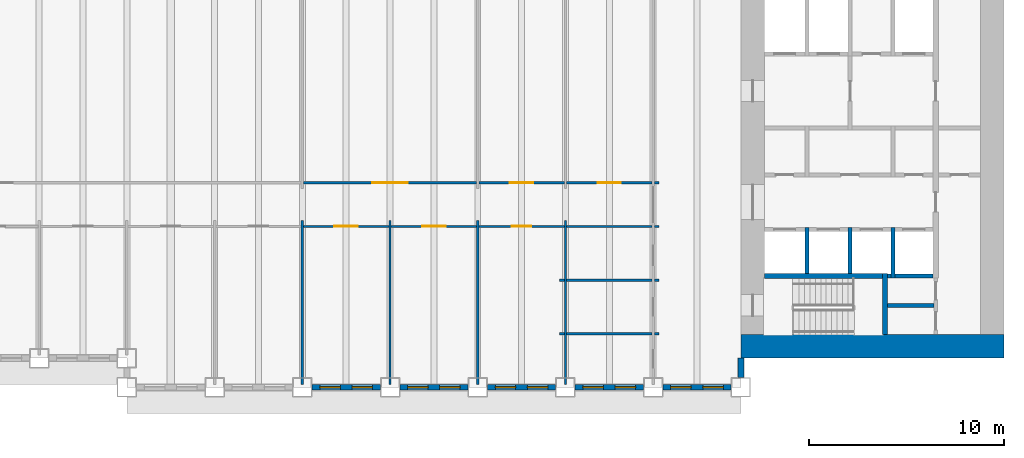
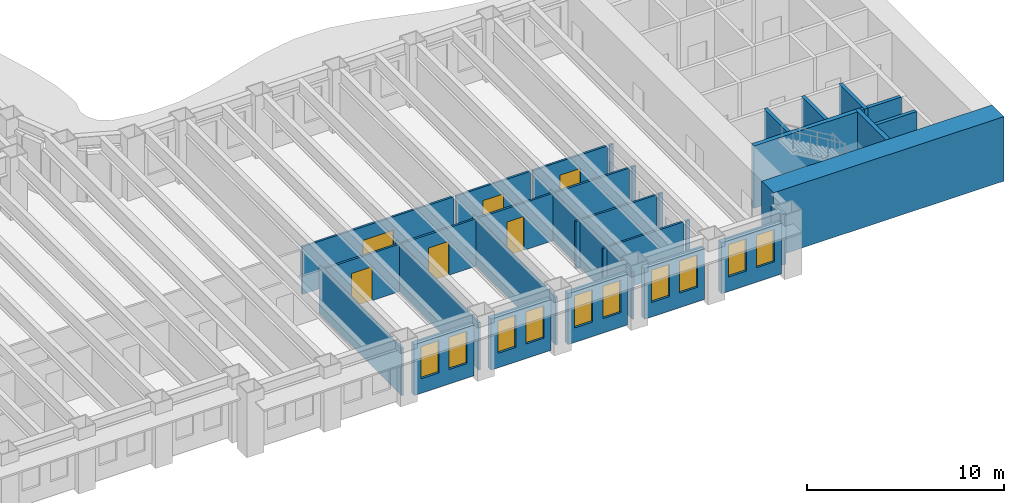
# One storey, part 5 of 16: 34 walls, 10 windows, 6 doors, 16 openings.
"""IFC4 building model written with IfcOpenShell, lengths in metres."""

from ifc_helpers import new_model, si_unit, direction, frame, frame_2d, origin, place, context, subcontext, project, spatial, rectangle, extrude, material, layer, layer_set, type_object, element, fill, save


model = new_model("IFC4")

# Units and contexts
model_context = context("Model", 3, precision=1e-05, world=origin(), true_north=direction((0.0, 1.0)))
body_context = subcontext(model_context, "Body", "Model", "MODEL_VIEW")
ifc_project = project(units=[si_unit("LENGTHUNIT", "METRE"), si_unit("AREAUNIT", "SQUARE_METRE"), si_unit("VOLUMEUNIT", "CUBIC_METRE"), si_unit("PLANEANGLEUNIT", "RADIAN"), si_unit("MASSUNIT", "GRAM", prefix="KILO")], contexts=[model_context])

# Site, building, storey
site_placement = place(None, origin())
site = spatial("IfcSite", under=ifc_project, at=site_placement, CompositionType="ELEMENT")
building_placement = place(site_placement, origin())
building = spatial("IfcBuilding", under=site, at=building_placement, Name="Sennacour Bend Tower", CompositionType="ELEMENT")
storey_placement = place(building_placement, frame((0.0, 0.0, 103.0)))
storey = spatial("IfcBuildingStorey", under=building, at=storey_placement, Name="L23", CompositionType="ELEMENT", Elevation=103.0)

# Walls
ifc_material_1 = material(Name="Concrete C80/95", Category="concrete")
ifc_layer_1 = layer(ifc_material_1, 1.199951171875, Name="Concrete C80/95", Category="concrete")
ifc_layer_set_1 = layer_set([ifc_layer_1], Name="Concrete C80/95")
wall_type_1 = type_object("IfcWallType", Name="Core wall 1200 C80/95", PredefinedType="SHEAR", material=ifc_layer_set_1)
wall_1_placement = place(storey_placement, frame((67.5, 0.60009765625, -0.14990234375), z_axis=(0.0, 0.0, 1.0), x_axis=(-1.0, 0.0, 0.0)))
element("IfcWall", 1, at=wall_1_placement, inside=storey, type_object=wall_type_1, Name="Core A wall L23 S", PredefinedType="SHEAR", context=body_context, shape_type="SweptSolid", body=[
    extrude(rectangle(XDim=13.5, YDim=1.199951171875, at=frame_2d((6.75, 0.0))), origin(), (0.0, 0.0, 1.0), 4.0),
])
ifc_material_2 = material(Name="Plasterboard partition on steel studs", Category="steel")
ifc_layer_2 = layer(ifc_material_2, 0.1201171875, Name="Plasterboard partition on steel studs", Category="steel")
ifc_layer_set_2 = layer_set([ifc_layer_2], Name="Plasterboard partition on steel studs")
wall_type_2 = type_object("IfcWallType", Name="Partition 120", PredefinedType="PARTITIONING", material=ifc_layer_set_2)
for number, where, z_axis, x_axis, name in (
    (2, (31.5, -1.35009765625, 0.0), (0.0, 0.0, 1.0), (0.0, 1.0, 0.0), "P-L23-W026a"),
    (3, (36.0, -1.35009765625, 0.0), (0.0, 0.0, 1.0), (0.0, 1.0, 0.0), "P-L23-W028a"),
    (4, (40.5, -1.35009765625, 0.0), (0.0, 0.0, 1.0), (0.0, 1.0, 0.0), "P-L23-W029a"),
    (5, (45.0, -1.35009765625, 0.0), (0.0, 0.0, 1.0), (0.0, 1.0, 0.0), "P-L23-W031a"),
):
    element("IfcWall", number, at=place(storey_placement, frame(where, z_axis=z_axis, x_axis=x_axis)), inside=storey, type_object=wall_type_2, Name=name, PredefinedType="PARTITIONING", context=body_context, shape_type="SweptSolid", body=[
        extrude(rectangle(XDim=8.400146484375, YDim=0.1201171875, at=frame_2d((4.2001953125, 0.0))), origin(), (0.0, 0.0, 1.0), 2.93798828125),
    ])
wall_2_placement = place(storey_placement, frame((44.699951171875, 1.25, 0.0), z_axis=(0.0, 0.0, 1.0), x_axis=(1.0, 0.0, 0.0)))
element("IfcWall", 6, at=wall_2_placement, inside=storey, type_object=wall_type_2, Name="P-L23-W051aa", PredefinedType="PARTITIONING", context=body_context, shape_type="SweptSolid", body=[
    extrude(rectangle(XDim=0.239990234375, YDim=0.1201171875, at=frame_2d((0.1201171875, 0.0))), origin(), (0.0, 0.0, 1.0), 2.93798828125),
])
wall_3_placement = place(storey_placement, frame((45.06005859375, 1.25, 0.0), z_axis=(0.0, 0.0, 1.0), x_axis=(1.0, 0.0, 0.0)))
element("IfcWall", 7, at=wall_3_placement, inside=storey, type_object=wall_type_2, Name="P-L23-W051ab", PredefinedType="PARTITIONING", context=body_context, shape_type="SweptSolid", body=[
    extrude(rectangle(XDim=4.3798828125, YDim=0.1201171875, at=frame_2d((2.18994140625, 0.0))), origin(), (0.0, 0.0, 1.0), 2.93798828125),
])
for number, where, z_axis, x_axis, name in (
    (8, (49.56005859375, 1.25, 0.0), (0.0, 0.0, 1.0), (1.0, 0.0, 0.0), "P-L23-W051ac"),
    (9, (44.699951171875, 4.0, 0.0), (0.0, 0.0, 1.0), (1.0, 0.0, 0.0), "P-L23-W056aa"),
):
    element("IfcWall", number, at=place(storey_placement, frame(where, z_axis=z_axis, x_axis=x_axis)), inside=storey, type_object=wall_type_2, Name=name, PredefinedType="PARTITIONING", context=body_context, shape_type="SweptSolid", body=[
        extrude(rectangle(XDim=0.239990234375, YDim=0.1201171875, at=frame_2d((0.1201171875, 0.0))), origin(), (0.0, 0.0, 1.0), 2.93798828125),
    ])
wall_4_placement = place(storey_placement, frame((45.06005859375, 4.0, 0.0), z_axis=(0.0, 0.0, 1.0), x_axis=(1.0, 0.0, 0.0)))
element("IfcWall", 10, at=wall_4_placement, inside=storey, type_object=wall_type_2, Name="P-L23-W056ab", PredefinedType="PARTITIONING", context=body_context, shape_type="SweptSolid", body=[
    extrude(rectangle(XDim=4.3798828125, YDim=0.1201171875, at=frame_2d((2.18994140625, 0.0))), origin(), (0.0, 0.0, 1.0), 2.93798828125),
])
wall_5_placement = place(storey_placement, frame((49.56005859375, 4.0, 0.0), z_axis=(0.0, 0.0, 1.0), x_axis=(1.0, 0.0, 0.0)))
element("IfcWall", 11, at=wall_5_placement, inside=storey, type_object=wall_type_2, Name="P-L23-W056ac", PredefinedType="PARTITIONING", context=body_context, shape_type="SweptSolid", body=[
    extrude(rectangle(XDim=0.239990234375, YDim=0.1201171875, at=frame_2d((0.1201171875, 0.0))), origin(), (0.0, 0.0, 1.0), 2.93798828125),
])

# Wall, opening, door
wall_6_placement = place(storey_placement, frame((31.56005859375, 6.75, 0.0), z_axis=(0.0, 0.0, 1.0), x_axis=(1.0, 0.0, 0.0)))
wall_6 = element("IfcWall", 12, at=wall_6_placement, inside=storey, type_object=wall_type_2, Name="P-L23-W060af", PredefinedType="PARTITIONING", context=body_context, shape_type="SweptSolid", body=[
    extrude(rectangle(XDim=4.3798828125, YDim=0.1201171875, at=frame_2d((2.18994140625, 0.0))), origin(), (0.0, 0.0, 1.0), 2.93798828125),
])
opening_1_placement = place(wall_6_placement, frame((1.58984375, 0.0, 0.0)))
opening_1 = element("IfcOpeningElement", 13, at=opening_1_placement, cuts=wall_6, Name="Opening OD", PredefinedType="OPENING", context=body_context, shape_type="SweptSolid", body=[
    extrude(rectangle(XDim=1.199951171875, YDim=2.10009765625, at=frame_2d((0.60009765625, 1.050048828125))), frame((0.0, 0.070068359375, 0.0), z_axis=(0.0, -1.0, 0.0), x_axis=(1.0, 0.0, 0.0)), (0.0, 0.0, 1.0), 0.14013671875),
])
ifc_material_3 = material(Name="Timber", Category="wood")
door_type_1 = type_object("IfcDoorType", Name="DR-OFFICE-1200", OperationType="NOTDEFINED", PredefinedType="DOOR", material=ifc_material_3)
door_1_placement = place(opening_1_placement, origin())
door_1 = element("IfcDoor", 14, at=door_1_placement, inside=storey, type_object=door_type_1, Name="Door", OperationType="SINGLE_SWING_LEFT", OverallHeight=2.10009765625, OverallWidth=1.199951171875, PredefinedType="DOOR", context=body_context, shape_type="SweptSolid", body=[
    extrude(rectangle(XDim=1.199951171875, YDim=2.10009765625, at=frame_2d((0.60009765625, 1.050048828125))), frame((0.0, 0.02490234375, 0.0), z_axis=(0.0, -1.0, 0.0), x_axis=(1.0, 0.0, 0.0)), (0.0, 0.0, 1.0), 0.050048828125),
])
fill(opening_1, door_1)

wall_7_placement = place(storey_placement, frame((36.06005859375, 6.75, 0.0), z_axis=(0.0, 0.0, 1.0), x_axis=(1.0, 0.0, 0.0)))
wall_7 = element("IfcWall", 15, at=wall_7_placement, inside=storey, type_object=wall_type_2, Name="P-L23-W060ag", PredefinedType="PARTITIONING", context=body_context, shape_type="SweptSolid", body=[
    extrude(rectangle(XDim=4.3798828125, YDim=0.1201171875, at=frame_2d((2.18994140625, 0.0))), origin(), (0.0, 0.0, 1.0), 2.93798828125),
])
opening_2_placement = place(wall_7_placement, frame((1.58984375, 0.0, 0.0)))
opening_2 = element("IfcOpeningElement", 16, at=opening_2_placement, cuts=wall_7, Name="Opening OD", PredefinedType="OPENING", context=body_context, shape_type="SweptSolid", body=[
    extrude(rectangle(XDim=1.199951171875, YDim=2.10009765625, at=frame_2d((0.60009765625, 1.050048828125))), frame((0.0, 0.070068359375, 0.0), z_axis=(0.0, -1.0, 0.0), x_axis=(1.0, 0.0, 0.0)), (0.0, 0.0, 1.0), 0.14013671875),
])
door_2_placement = place(opening_2_placement, origin())
door_2 = element("IfcDoor", 17, at=door_2_placement, inside=storey, type_object=door_type_1, Name="Door", OperationType="SINGLE_SWING_LEFT", OverallHeight=2.10009765625, OverallWidth=1.199951171875, PredefinedType="DOOR", context=body_context, shape_type="SweptSolid", body=[
    extrude(rectangle(XDim=1.199951171875, YDim=2.10009765625, at=frame_2d((0.60009765625, 1.050048828125))), frame((0.0, 0.02490234375, 0.0), z_axis=(0.0, -1.0, 0.0), x_axis=(1.0, 0.0, 0.0)), (0.0, 0.0, 1.0), 0.050048828125),
])
fill(opening_2, door_2)

wall_8_placement = place(storey_placement, frame((40.56005859375, 6.75, 0.0), z_axis=(0.0, 0.0, 1.0), x_axis=(1.0, 0.0, 0.0)))
wall_8 = element("IfcWall", 18, at=wall_8_placement, inside=storey, type_object=wall_type_2, Name="P-L23-W060ah", PredefinedType="PARTITIONING", context=body_context, shape_type="SweptSolid", body=[
    extrude(rectangle(XDim=4.3798828125, YDim=0.1201171875, at=frame_2d((2.18994140625, 0.0))), origin(), (0.0, 0.0, 1.0), 2.93798828125),
])
opening_3_placement = place(wall_8_placement, frame((1.68994140625, 0.0, 0.0)))
opening_3 = element("IfcOpeningElement", 19, at=opening_3_placement, cuts=wall_8, Name="Opening OD2", PredefinedType="OPENING", context=body_context, shape_type="SweptSolid", body=[
    extrude(rectangle(XDim=1.0, YDim=2.10009765625, at=frame_2d((0.5, 1.050048828125))), frame((0.0, 0.070068359375, 0.0), z_axis=(0.0, -1.0, 0.0), x_axis=(1.0, 0.0, 0.0)), (0.0, 0.0, 1.0), 0.14013671875),
])
door_type_2 = type_object("IfcDoorType", Name="DR-OFFICE-1000", OperationType="NOTDEFINED", PredefinedType="DOOR", material=ifc_material_3)
door_3_placement = place(opening_3_placement, origin())
door_3 = element("IfcDoor", 20, at=door_3_placement, inside=storey, type_object=door_type_2, Name="Door", OperationType="SINGLE_SWING_LEFT", OverallHeight=2.10009765625, OverallWidth=1.0, PredefinedType="DOOR", context=body_context, shape_type="SweptSolid", body=[
    extrude(rectangle(XDim=1.0, YDim=2.10009765625, at=frame_2d((0.5, 1.050048828125))), frame((0.0, 0.02490234375, 0.0), z_axis=(0.0, -1.0, 0.0), x_axis=(1.0, 0.0, 0.0)), (0.0, 0.0, 1.0), 0.050048828125),
])
fill(opening_3, door_3)

# Walls
wall_9_placement = place(storey_placement, frame((45.06005859375, 6.75, 0.0), z_axis=(0.0, 0.0, 1.0), x_axis=(1.0, 0.0, 0.0)))
element("IfcWall", 21, at=wall_9_placement, inside=storey, type_object=wall_type_2, Name="P-L23-W060ai", PredefinedType="PARTITIONING", context=body_context, shape_type="SweptSolid", body=[
    extrude(rectangle(XDim=4.3798828125, YDim=0.1201171875, at=frame_2d((2.18994140625, 0.0))), origin(), (0.0, 0.0, 1.0), 2.93798828125),
])
wall_10_placement = place(storey_placement, frame((49.56005859375, 6.75, 0.0), z_axis=(0.0, 0.0, 1.0), x_axis=(1.0, 0.0, 0.0)))
element("IfcWall", 22, at=wall_10_placement, inside=storey, type_object=wall_type_2, Name="P-L23-W060aj", PredefinedType="PARTITIONING", context=body_context, shape_type="SweptSolid", body=[
    extrude(rectangle(XDim=0.239990234375, YDim=0.1201171875, at=frame_2d((0.1201171875, 0.0))), origin(), (0.0, 0.0, 1.0), 2.93798828125),
])

# Wall, opening, door
wall_11_placement = place(storey_placement, frame((31.56005859375, 9.0, 0.0), z_axis=(0.0, 0.0, 1.0), x_axis=(1.0, 0.0, 0.0)))
wall_11 = element("IfcWall", 23, at=wall_11_placement, inside=storey, type_object=wall_type_2, Name="P-L23-W061ad", PredefinedType="PARTITIONING", context=body_context, shape_type="SweptSolid", body=[
    extrude(rectangle(XDim=8.8798828125, YDim=0.1201171875, at=frame_2d((4.43994140625, 0.0))), origin(), (0.0, 0.0, 1.0), 2.93798828125),
])
opening_4_placement = place(wall_11_placement, frame((3.539794921875, 0.0, 0.0)))
opening_4 = element("IfcOpeningElement", 24, at=opening_4_placement, cuts=wall_11, Name="Opening OD3", PredefinedType="OPENING", context=body_context, shape_type="SweptSolid", body=[
    extrude(rectangle(XDim=1.800048828125, YDim=2.10009765625, at=frame_2d((0.89990234375, 1.050048828125))), frame((0.0, 0.070068359375, 0.0), z_axis=(0.0, -1.0, 0.0), x_axis=(1.0, 0.0, 0.0)), (0.0, 0.0, 1.0), 0.14013671875),
])
door_type_3 = type_object("IfcDoorType", Name="DR-OFFICE-1800", OperationType="NOTDEFINED", PredefinedType="DOOR", material=ifc_material_3)
door_4_placement = place(opening_4_placement, origin())
door_4 = element("IfcDoor", 25, at=door_4_placement, inside=storey, type_object=door_type_3, Name="Door", OperationType="DOUBLE_DOOR_SINGLE_SWING", OverallHeight=2.10009765625, OverallWidth=1.800048828125, PredefinedType="DOOR", context=body_context, shape_type="SweptSolid", body=[
    extrude(rectangle(XDim=1.800048828125, YDim=2.10009765625, at=frame_2d((0.89990234375, 1.050048828125))), frame((0.0, 0.02490234375, 0.0), z_axis=(0.0, -1.0, 0.0), x_axis=(1.0, 0.0, 0.0)), (0.0, 0.0, 1.0), 0.050048828125),
])
fill(opening_4, door_4)

wall_12_placement = place(storey_placement, frame((40.56005859375, 9.0, 0.0), z_axis=(0.0, 0.0, 1.0), x_axis=(1.0, 0.0, 0.0)))
wall_12 = element("IfcWall", 26, at=wall_12_placement, inside=storey, type_object=wall_type_2, Name="P-L23-W061ae", PredefinedType="PARTITIONING", context=body_context, shape_type="SweptSolid", body=[
    extrude(rectangle(XDim=4.3798828125, YDim=0.1201171875, at=frame_2d((2.18994140625, 0.0))), origin(), (0.0, 0.0, 1.0), 2.93798828125),
])
opening_5_placement = place(wall_12_placement, frame((1.58984375, 0.0, 0.0)))
opening_5 = element("IfcOpeningElement", 27, at=opening_5_placement, cuts=wall_12, Name="Opening OD", PredefinedType="OPENING", context=body_context, shape_type="SweptSolid", body=[
    extrude(rectangle(XDim=1.199951171875, YDim=2.10009765625, at=frame_2d((0.60009765625, 1.050048828125))), frame((0.0, 0.070068359375, 0.0), z_axis=(0.0, -1.0, 0.0), x_axis=(1.0, 0.0, 0.0)), (0.0, 0.0, 1.0), 0.14013671875),
])
door_5_placement = place(opening_5_placement, origin())
door_5 = element("IfcDoor", 28, at=door_5_placement, inside=storey, type_object=door_type_1, Name="Door", OperationType="SINGLE_SWING_LEFT", OverallHeight=2.10009765625, OverallWidth=1.199951171875, PredefinedType="DOOR", context=body_context, shape_type="SweptSolid", body=[
    extrude(rectangle(XDim=1.199951171875, YDim=2.10009765625, at=frame_2d((0.60009765625, 1.050048828125))), frame((0.0, 0.02490234375, 0.0), z_axis=(0.0, -1.0, 0.0), x_axis=(1.0, 0.0, 0.0)), (0.0, 0.0, 1.0), 0.050048828125),
])
fill(opening_5, door_5)

wall_13_placement = place(storey_placement, frame((45.06005859375, 9.0, 0.0), z_axis=(0.0, 0.0, 1.0), x_axis=(1.0, 0.0, 0.0)))
wall_13 = element("IfcWall", 29, at=wall_13_placement, inside=storey, type_object=wall_type_2, Name="P-L23-W061af", PredefinedType="PARTITIONING", context=body_context, shape_type="SweptSolid", body=[
    extrude(rectangle(XDim=4.3798828125, YDim=0.1201171875, at=frame_2d((2.18994140625, 0.0))), origin(), (0.0, 0.0, 1.0), 2.93798828125),
])
opening_6_placement = place(wall_13_placement, frame((1.58984375, 0.0, 0.0)))
opening_6 = element("IfcOpeningElement", 30, at=opening_6_placement, cuts=wall_13, Name="Opening OD", PredefinedType="OPENING", context=body_context, shape_type="SweptSolid", body=[
    extrude(rectangle(XDim=1.199951171875, YDim=2.10009765625, at=frame_2d((0.60009765625, 1.050048828125))), frame((0.0, 0.070068359375, 0.0), z_axis=(0.0, -1.0, 0.0), x_axis=(1.0, 0.0, 0.0)), (0.0, 0.0, 1.0), 0.14013671875),
])
door_6_placement = place(opening_6_placement, origin())
door_6 = element("IfcDoor", 31, at=door_6_placement, inside=storey, type_object=door_type_1, Name="Door", OperationType="SINGLE_SWING_LEFT", OverallHeight=2.10009765625, OverallWidth=1.199951171875, PredefinedType="DOOR", context=body_context, shape_type="SweptSolid", body=[
    extrude(rectangle(XDim=1.199951171875, YDim=2.10009765625, at=frame_2d((0.60009765625, 1.050048828125))), frame((0.0, 0.02490234375, 0.0), z_axis=(0.0, -1.0, 0.0), x_axis=(1.0, 0.0, 0.0)), (0.0, 0.0, 1.0), 0.050048828125),
])
fill(opening_6, door_6)

# Walls
wall_14_placement = place(storey_placement, frame((49.56005859375, 9.0, 0.0), z_axis=(0.0, 0.0, 1.0), x_axis=(1.0, 0.0, 0.0)))
element("IfcWall", 32, at=wall_14_placement, inside=storey, type_object=wall_type_2, Name="P-L23-W061ag", PredefinedType="PARTITIONING", context=body_context, shape_type="SweptSolid", body=[
    extrude(rectangle(XDim=0.239990234375, YDim=0.1201171875, at=frame_2d((0.1201171875, 0.0))), origin(), (0.0, 0.0, 1.0), 2.93798828125),
])
ifc_material_4 = material(Name="Fire-rated plasterboard partition on steel studs", Category="steel")
ifc_layer_3 = layer(ifc_material_4, 0.199951171875, Name="Fire-rated plasterboard partition on steel studs", Category="steel")
ifc_layer_set_3 = layer_set([ifc_layer_3], Name="Fire-rated plasterboard partition on steel studs")
wall_type_3 = type_object("IfcWallType", Name="Rated partition 200", PredefinedType="PARTITIONING", material=ifc_layer_set_3)
wall_15_placement = place(storey_placement, frame((61.52490234375, 2.699951171875, 0.0), z_axis=(0.0, 0.0, 1.0), x_axis=(1.0, 0.0, 0.0)))
element("IfcWall", 33, at=wall_15_placement, inside=storey, type_object=wall_type_3, Name="P-L23-W052", PredefinedType="PARTITIONING", context=body_context, shape_type="SweptSolid", body=[
    extrude(rectangle(XDim=2.375, YDim=0.199951171875, at=frame_2d((1.1875, 0.0))), origin(), (0.0, 0.0, 1.0), 3.85009765625),
])

# Wall, openings, windows
ifc_material_5 = material(Name="Warm limestone cladding", Category="masonry")
ifc_layer_4 = layer(ifc_material_5, 0.050048828125, Name="Warm limestone cladding", Category="masonry")
ifc_material_6 = material(Name="Precast concrete C40/50", Category="concrete")
ifc_layer_5 = layer(ifc_material_6, 0.25, Name="Precast concrete C40/50", Category="concrete")
ifc_layer_set_4 = layer_set([ifc_layer_4, ifc_layer_5], Name="Precast concrete C40/50 with limestone cladding")
wall_type_4 = type_object("IfcWallType", Name="STONE-CLAD PRECAST SPANDREL 300", PredefinedType="STANDARD", material=ifc_layer_set_4)
wall_16_placement = place(storey_placement, frame((32.0, -1.5, 0.0), z_axis=(0.0, 0.0, 1.0), x_axis=(1.0, 0.0, 0.0)))
wall_16 = element("IfcWall", 34, at=wall_16_placement, inside=storey, type_object=wall_type_4, Name="Stone spandrel and pier wall L23 00.02", PredefinedType="STANDARD", context=body_context, shape_type="SweptSolid", body=[
    extrude(rectangle(XDim=3.5, YDim=0.300048828125, at=frame_2d((1.75, 0.0))), origin(), (0.0, 0.0, 1.0), 3.154052734375),
])
opening_7_placement = place(wall_16_placement, frame((0.39990234375, 0.0, 0.89990234375)))
opening_7 = element("IfcOpeningElement", 35, at=opening_7_placement, cuts=wall_16, Name="Opening W13", PredefinedType="OPENING", context=body_context, shape_type="SweptSolid", body=[
    extrude(rectangle(XDim=1.050048828125, YDim=2.0, at=frame_2d((0.52490234375, 1.0))), frame((0.0, 0.16015625, 0.0), z_axis=(0.0, -1.0, 0.0), x_axis=(1.0, 0.0, 0.0)), (0.0, 0.0, 1.0), 0.320068359375),
])
opening_8_placement = place(wall_16_placement, frame((2.050048828125, 0.0, 0.89990234375)))
opening_8 = element("IfcOpeningElement", 36, at=opening_8_placement, cuts=wall_16, Name="Opening W13", PredefinedType="OPENING", context=body_context, shape_type="SweptSolid", body=[
    extrude(rectangle(XDim=1.050048828125, YDim=2.0, at=frame_2d((0.52490234375, 1.0))), frame((0.0, 0.16015625, 0.0), z_axis=(0.0, -1.0, 0.0), x_axis=(1.0, 0.0, 0.0)), (0.0, 0.0, 1.0), 0.320068359375),
])
ifc_material_7 = material(Name="Clear low-emissivity glass", Category="glass")
window_type = type_object("IfcWindowType", Name="WIN-RIBBON-1050x2000", PartitioningType="SINGLE_PANEL", PredefinedType="WINDOW", material=ifc_material_7)
window_1_placement = place(opening_7_placement, origin())
window_1 = element("IfcWindow", 37, at=window_1_placement, inside=storey, type_object=window_type, Name="Ribbon window L23 00.02.0", OverallHeight=2.0, OverallWidth=1.050048828125, PartitioningType="SINGLE_PANEL", PredefinedType="WINDOW", context=body_context, shape_type="SweptSolid", body=[
    extrude(rectangle(XDim=1.050048828125, YDim=2.0, at=frame_2d((0.52490234375, 1.0))), frame((0.0, 0.030029296875, 0.0), z_axis=(0.0, -1.0, 0.0), x_axis=(1.0, 0.0, 0.0)), (0.0, 0.0, 1.0), 0.06005859375),
])
fill(opening_7, window_1)
window_2_placement = place(opening_8_placement, origin())
window_2 = element("IfcWindow", 38, at=window_2_placement, inside=storey, type_object=window_type, Name="Ribbon window L23 00.02.1", OverallHeight=2.0, OverallWidth=1.050048828125, PartitioningType="SINGLE_PANEL", PredefinedType="WINDOW", context=body_context, shape_type="SweptSolid", body=[
    extrude(rectangle(XDim=1.050048828125, YDim=2.0, at=frame_2d((0.52490234375, 1.0))), frame((0.0, 0.030029296875, 0.0), z_axis=(0.0, -1.0, 0.0), x_axis=(1.0, 0.0, 0.0)), (0.0, 0.0, 1.0), 0.06005859375),
])
fill(opening_8, window_2)

wall_17_placement = place(storey_placement, frame((36.5, -1.5, 0.0), z_axis=(0.0, 0.0, 1.0), x_axis=(1.0, 0.0, 0.0)))
wall_17 = element("IfcWall", 39, at=wall_17_placement, inside=storey, type_object=wall_type_4, Name="Stone spandrel and pier wall L23 00.03", PredefinedType="STANDARD", context=body_context, shape_type="SweptSolid", body=[
    extrude(rectangle(XDim=3.5, YDim=0.300048828125, at=frame_2d((1.75, 0.0))), origin(), (0.0, 0.0, 1.0), 3.154052734375),
])
opening_9_placement = place(wall_17_placement, frame((0.39990234375, 0.0, 0.89990234375)))
opening_9 = element("IfcOpeningElement", 40, at=opening_9_placement, cuts=wall_17, Name="Opening W13", PredefinedType="OPENING", context=body_context, shape_type="SweptSolid", body=[
    extrude(rectangle(XDim=1.050048828125, YDim=2.0, at=frame_2d((0.52490234375, 1.0))), frame((0.0, 0.16015625, 0.0), z_axis=(0.0, -1.0, 0.0), x_axis=(1.0, 0.0, 0.0)), (0.0, 0.0, 1.0), 0.320068359375),
])
opening_10_placement = place(wall_17_placement, frame((2.050048828125, 0.0, 0.89990234375)))
opening_10 = element("IfcOpeningElement", 41, at=opening_10_placement, cuts=wall_17, Name="Opening W13", PredefinedType="OPENING", context=body_context, shape_type="SweptSolid", body=[
    extrude(rectangle(XDim=1.050048828125, YDim=2.0, at=frame_2d((0.52490234375, 1.0))), frame((0.0, 0.16015625, 0.0), z_axis=(0.0, -1.0, 0.0), x_axis=(1.0, 0.0, 0.0)), (0.0, 0.0, 1.0), 0.320068359375),
])
window_3_placement = place(opening_9_placement, origin())
window_3 = element("IfcWindow", 42, at=window_3_placement, inside=storey, type_object=window_type, Name="Ribbon window L23 00.03.0", OverallHeight=2.0, OverallWidth=1.050048828125, PartitioningType="SINGLE_PANEL", PredefinedType="WINDOW", context=body_context, shape_type="SweptSolid", body=[
    extrude(rectangle(XDim=1.050048828125, YDim=2.0, at=frame_2d((0.52490234375, 1.0))), frame((0.0, 0.030029296875, 0.0), z_axis=(0.0, -1.0, 0.0), x_axis=(1.0, 0.0, 0.0)), (0.0, 0.0, 1.0), 0.06005859375),
])
fill(opening_9, window_3)
window_4_placement = place(opening_10_placement, origin())
window_4 = element("IfcWindow", 43, at=window_4_placement, inside=storey, type_object=window_type, Name="Ribbon window L23 00.03.1", OverallHeight=2.0, OverallWidth=1.050048828125, PartitioningType="SINGLE_PANEL", PredefinedType="WINDOW", context=body_context, shape_type="SweptSolid", body=[
    extrude(rectangle(XDim=1.050048828125, YDim=2.0, at=frame_2d((0.52490234375, 1.0))), frame((0.0, 0.030029296875, 0.0), z_axis=(0.0, -1.0, 0.0), x_axis=(1.0, 0.0, 0.0)), (0.0, 0.0, 1.0), 0.06005859375),
])
fill(opening_10, window_4)

wall_18_placement = place(storey_placement, frame((41.0, -1.5, 0.0), z_axis=(0.0, 0.0, 1.0), x_axis=(1.0, 0.0, 0.0)))
wall_18 = element("IfcWall", 44, at=wall_18_placement, inside=storey, type_object=wall_type_4, Name="Stone spandrel and pier wall L23 00.04", PredefinedType="STANDARD", context=body_context, shape_type="SweptSolid", body=[
    extrude(rectangle(XDim=3.5, YDim=0.300048828125, at=frame_2d((1.75, 0.0))), origin(), (0.0, 0.0, 1.0), 3.154052734375),
])
opening_11_placement = place(wall_18_placement, frame((0.39990234375, 0.0, 0.89990234375)))
opening_11 = element("IfcOpeningElement", 45, at=opening_11_placement, cuts=wall_18, Name="Opening W13", PredefinedType="OPENING", context=body_context, shape_type="SweptSolid", body=[
    extrude(rectangle(XDim=1.050048828125, YDim=2.0, at=frame_2d((0.52490234375, 1.0))), frame((0.0, 0.16015625, 0.0), z_axis=(0.0, -1.0, 0.0), x_axis=(1.0, 0.0, 0.0)), (0.0, 0.0, 1.0), 0.320068359375),
])
opening_12_placement = place(wall_18_placement, frame((2.050048828125, 0.0, 0.89990234375)))
opening_12 = element("IfcOpeningElement", 46, at=opening_12_placement, cuts=wall_18, Name="Opening W13", PredefinedType="OPENING", context=body_context, shape_type="SweptSolid", body=[
    extrude(rectangle(XDim=1.050048828125, YDim=2.0, at=frame_2d((0.52490234375, 1.0))), frame((0.0, 0.16015625, 0.0), z_axis=(0.0, -1.0, 0.0), x_axis=(1.0, 0.0, 0.0)), (0.0, 0.0, 1.0), 0.320068359375),
])
window_5_placement = place(opening_11_placement, origin())
window_5 = element("IfcWindow", 47, at=window_5_placement, inside=storey, type_object=window_type, Name="Ribbon window L23 00.04.0", OverallHeight=2.0, OverallWidth=1.050048828125, PartitioningType="SINGLE_PANEL", PredefinedType="WINDOW", context=body_context, shape_type="SweptSolid", body=[
    extrude(rectangle(XDim=1.050048828125, YDim=2.0, at=frame_2d((0.52490234375, 1.0))), frame((0.0, 0.030029296875, 0.0), z_axis=(0.0, -1.0, 0.0), x_axis=(1.0, 0.0, 0.0)), (0.0, 0.0, 1.0), 0.06005859375),
])
fill(opening_11, window_5)
window_6_placement = place(opening_12_placement, origin())
window_6 = element("IfcWindow", 48, at=window_6_placement, inside=storey, type_object=window_type, Name="Ribbon window L23 00.04.1", OverallHeight=2.0, OverallWidth=1.050048828125, PartitioningType="SINGLE_PANEL", PredefinedType="WINDOW", context=body_context, shape_type="SweptSolid", body=[
    extrude(rectangle(XDim=1.050048828125, YDim=2.0, at=frame_2d((0.52490234375, 1.0))), frame((0.0, 0.030029296875, 0.0), z_axis=(0.0, -1.0, 0.0), x_axis=(1.0, 0.0, 0.0)), (0.0, 0.0, 1.0), 0.06005859375),
])
fill(opening_12, window_6)

wall_19_placement = place(storey_placement, frame((45.5, -1.5, 0.0), z_axis=(0.0, 0.0, 1.0), x_axis=(1.0, 0.0, 0.0)))
wall_19 = element("IfcWall", 49, at=wall_19_placement, inside=storey, type_object=wall_type_4, Name="Stone spandrel and pier wall L23 00.05", PredefinedType="STANDARD", context=body_context, shape_type="SweptSolid", body=[
    extrude(rectangle(XDim=3.5, YDim=0.300048828125, at=frame_2d((1.75, 0.0))), origin(), (0.0, 0.0, 1.0), 3.154052734375),
])
opening_13_placement = place(wall_19_placement, frame((0.39990234375, 0.0, 0.89990234375)))
opening_13 = element("IfcOpeningElement", 50, at=opening_13_placement, cuts=wall_19, Name="Opening W13", PredefinedType="OPENING", context=body_context, shape_type="SweptSolid", body=[
    extrude(rectangle(XDim=1.050048828125, YDim=2.0, at=frame_2d((0.52490234375, 1.0))), frame((0.0, 0.16015625, 0.0), z_axis=(0.0, -1.0, 0.0), x_axis=(1.0, 0.0, 0.0)), (0.0, 0.0, 1.0), 0.320068359375),
])
opening_14_placement = place(wall_19_placement, frame((2.050048828125, 0.0, 0.89990234375)))
opening_14 = element("IfcOpeningElement", 51, at=opening_14_placement, cuts=wall_19, Name="Opening W13", PredefinedType="OPENING", context=body_context, shape_type="SweptSolid", body=[
    extrude(rectangle(XDim=1.050048828125, YDim=2.0, at=frame_2d((0.52490234375, 1.0))), frame((0.0, 0.16015625, 0.0), z_axis=(0.0, -1.0, 0.0), x_axis=(1.0, 0.0, 0.0)), (0.0, 0.0, 1.0), 0.320068359375),
])
window_7_placement = place(opening_13_placement, origin())
window_7 = element("IfcWindow", 52, at=window_7_placement, inside=storey, type_object=window_type, Name="Ribbon window L23 00.05.0", OverallHeight=2.0, OverallWidth=1.050048828125, PartitioningType="SINGLE_PANEL", PredefinedType="WINDOW", context=body_context, shape_type="SweptSolid", body=[
    extrude(rectangle(XDim=1.050048828125, YDim=2.0, at=frame_2d((0.52490234375, 1.0))), frame((0.0, 0.030029296875, 0.0), z_axis=(0.0, -1.0, 0.0), x_axis=(1.0, 0.0, 0.0)), (0.0, 0.0, 1.0), 0.06005859375),
])
fill(opening_13, window_7)
window_8_placement = place(opening_14_placement, origin())
window_8 = element("IfcWindow", 53, at=window_8_placement, inside=storey, type_object=window_type, Name="Ribbon window L23 00.05.1", OverallHeight=2.0, OverallWidth=1.050048828125, PartitioningType="SINGLE_PANEL", PredefinedType="WINDOW", context=body_context, shape_type="SweptSolid", body=[
    extrude(rectangle(XDim=1.050048828125, YDim=2.0, at=frame_2d((0.52490234375, 1.0))), frame((0.0, 0.030029296875, 0.0), z_axis=(0.0, -1.0, 0.0), x_axis=(1.0, 0.0, 0.0)), (0.0, 0.0, 1.0), 0.06005859375),
])
fill(opening_14, window_8)

wall_20_placement = place(storey_placement, frame((50.0, -1.5, 0.0), z_axis=(0.0, 0.0, 1.0), x_axis=(1.0, 0.0, 0.0)))
wall_20 = element("IfcWall", 54, at=wall_20_placement, inside=storey, type_object=wall_type_4, Name="Stone spandrel and pier wall L23 00.06", PredefinedType="STANDARD", context=body_context, shape_type="SweptSolid", body=[
    extrude(rectangle(XDim=3.5, YDim=0.300048828125, at=frame_2d((1.75, 0.0))), origin(), (0.0, 0.0, 1.0), 3.154052734375),
])
opening_15_placement = place(wall_20_placement, frame((0.39990234375, 0.0, 0.89990234375)))
opening_15 = element("IfcOpeningElement", 55, at=opening_15_placement, cuts=wall_20, Name="Opening W13", PredefinedType="OPENING", context=body_context, shape_type="SweptSolid", body=[
    extrude(rectangle(XDim=1.050048828125, YDim=2.0, at=frame_2d((0.52490234375, 1.0))), frame((0.0, 0.16015625, 0.0), z_axis=(0.0, -1.0, 0.0), x_axis=(1.0, 0.0, 0.0)), (0.0, 0.0, 1.0), 0.320068359375),
])
opening_16_placement = place(wall_20_placement, frame((2.050048828125, 0.0, 0.89990234375)))
opening_16 = element("IfcOpeningElement", 56, at=opening_16_placement, cuts=wall_20, Name="Opening W13", PredefinedType="OPENING", context=body_context, shape_type="SweptSolid", body=[
    extrude(rectangle(XDim=1.050048828125, YDim=2.0, at=frame_2d((0.52490234375, 1.0))), frame((0.0, 0.16015625, 0.0), z_axis=(0.0, -1.0, 0.0), x_axis=(1.0, 0.0, 0.0)), (0.0, 0.0, 1.0), 0.320068359375),
])
window_9_placement = place(opening_15_placement, origin())
window_9 = element("IfcWindow", 57, at=window_9_placement, inside=storey, type_object=window_type, Name="Ribbon window L23 00.06.0", OverallHeight=2.0, OverallWidth=1.050048828125, PartitioningType="SINGLE_PANEL", PredefinedType="WINDOW", context=body_context, shape_type="SweptSolid", body=[
    extrude(rectangle(XDim=1.050048828125, YDim=2.0, at=frame_2d((0.52490234375, 1.0))), frame((0.0, 0.030029296875, 0.0), z_axis=(0.0, -1.0, 0.0), x_axis=(1.0, 0.0, 0.0)), (0.0, 0.0, 1.0), 0.06005859375),
])
fill(opening_15, window_9)
window_10_placement = place(opening_16_placement, origin())
window_10 = element("IfcWindow", 58, at=window_10_placement, inside=storey, type_object=window_type, Name="Ribbon window L23 00.06.1", OverallHeight=2.0, OverallWidth=1.050048828125, PartitioningType="SINGLE_PANEL", PredefinedType="WINDOW", context=body_context, shape_type="SweptSolid", body=[
    extrude(rectangle(XDim=1.050048828125, YDim=2.0, at=frame_2d((0.52490234375, 1.0))), frame((0.0, 0.030029296875, 0.0), z_axis=(0.0, -1.0, 0.0), x_axis=(1.0, 0.0, 0.0)), (0.0, 0.0, 1.0), 0.06005859375),
])
fill(opening_16, window_10)

# Walls
wall_21_placement = place(storey_placement, frame((54.0, -1.0, 0.0), z_axis=(0.0, 0.0, 1.0), x_axis=(0.0, 1.0, 0.0)))
element("IfcWall", 59, at=wall_21_placement, inside=storey, type_object=wall_type_4, Name="Stone spandrel and pier wall L23 01.00", PredefinedType="STANDARD", context=body_context, shape_type="SweptSolid", body=[
    extrude(rectangle(XDim=1.0, YDim=0.300048828125, at=frame_2d((0.5, 0.0))), origin(), (0.0, 0.0, 1.0), 3.154052734375),
])
ifc_material_8 = material(Name="Concrete C50/60", Category="concrete")
ifc_layer_6 = layer(ifc_material_8, 0.199951171875, Name="Concrete C50/60", Category="concrete")
ifc_layer_set_5 = layer_set([ifc_layer_6], Name="Concrete C50/60")
wall_type_5 = type_object("IfcWallType", Name="Shaft wall 200", PredefinedType="SOLIDWALL", material=ifc_layer_set_5)
for number, where, z_axis, x_axis, name in (
    (60, (57.39990234375, 4.324951171875, 0.0), (0.0, 0.0, 1.0), (0.0, 1.0, 0.0), "P-L23-W035"),
    (61, (59.60009765625, 4.324951171875, 0.0), (0.0, 0.0, 1.0), (0.0, 1.0, 0.0), "P-L23-W038"),
):
    element("IfcWall", number, at=place(storey_placement, frame(where, z_axis=z_axis, x_axis=x_axis)), inside=storey, type_object=wall_type_5, Name=name, PredefinedType="SOLIDWALL", context=body_context, shape_type="SweptSolid", body=[
        extrude(rectangle(XDim=2.375, YDim=0.199951171875, at=frame_2d((1.1875, 0.0))), origin(), (0.0, 0.0, 1.0), 3.85009765625),
    ])
wall_22_placement = place(storey_placement, frame((61.800048828125, 4.10009765625, 0.0), z_axis=(0.0, 0.0, 1.0), x_axis=(0.0, 1.0, 0.0)))
element("IfcWall", 62, at=wall_22_placement, inside=storey, type_object=wall_type_5, Name="P-L23-W043", PredefinedType="SOLIDWALL", context=body_context, shape_type="SweptSolid", body=[
    extrude(rectangle(XDim=2.599853515625, YDim=0.199951171875, at=frame_2d((1.2998046875, 0.0))), origin(), (0.0, 0.0, 1.0), 3.85009765625),
])
wall_23_placement = place(storey_placement, frame((61.52490234375, 4.199951171875, 0.0), z_axis=(0.0, 0.0, 1.0), x_axis=(1.0, 0.0, 0.0)))
element("IfcWall", 63, at=wall_23_placement, inside=storey, type_object=wall_type_5, Name="P-L23-W058a", PredefinedType="SOLIDWALL", context=body_context, shape_type="SweptSolid", body=[
    extrude(rectangle(XDim=0.175048828125, YDim=0.199951171875, at=frame_2d((0.08740234375, 0.0))), origin(), (0.0, 0.0, 1.0), 3.85009765625),
])
wall_24_placement = place(storey_placement, frame((61.89990234375, 4.199951171875, 0.0), z_axis=(0.0, 0.0, 1.0), x_axis=(1.0, 0.0, 0.0)))
element("IfcWall", 64, at=wall_24_placement, inside=storey, type_object=wall_type_5, Name="P-L23-W058b", PredefinedType="SOLIDWALL", context=body_context, shape_type="SweptSolid", body=[
    extrude(rectangle(XDim=1.9501953125, YDim=0.199951171875, at=frame_2d((0.97509765625, 0.0))), origin(), (0.0, 0.0, 1.0), 3.85009765625),
])
ifc_material_9 = material(Name="Concrete C60/75", Category="concrete")
ifc_layer_7 = layer(ifc_material_9, 0.25, Name="Concrete C60/75", Category="concrete")
ifc_layer_set_6 = layer_set([ifc_layer_7], Name="Concrete C60/75")
wall_type_6 = type_object("IfcWallType", Name="Stair wall 250", PredefinedType="SHEAR", material=ifc_layer_set_6)
wall_25_placement = place(storey_placement, frame((61.39990234375, 1.199951171875, 0.0), z_axis=(0.0, 0.0, 1.0), x_axis=(0.0, 1.0, 0.0)))
element("IfcWall", 65, at=wall_25_placement, inside=storey, type_object=wall_type_6, Name="P-L23-W041", PredefinedType="SHEAR", context=body_context, shape_type="SweptSolid", body=[
    extrude(rectangle(XDim=3.125, YDim=0.25, at=frame_2d((1.5625, 0.0))), origin(), (0.0, 0.0, 1.0), 3.85009765625),
])
wall_26_placement = place(storey_placement, frame((55.199951171875, 4.199951171875, 0.0), z_axis=(0.0, 0.0, 1.0), x_axis=(1.0, 0.0, 0.0)))
element("IfcWall", 66, at=wall_26_placement, inside=storey, type_object=wall_type_6, Name="P-L23-W057", PredefinedType="SHEAR", context=body_context, shape_type="SweptSolid", body=[
    extrude(rectangle(XDim=6.074951171875, YDim=0.25, at=frame_2d((3.03759765625, 0.0))), origin(), (0.0, 0.0, 1.0), 3.85009765625),
])

save(model, "model.ifc")
